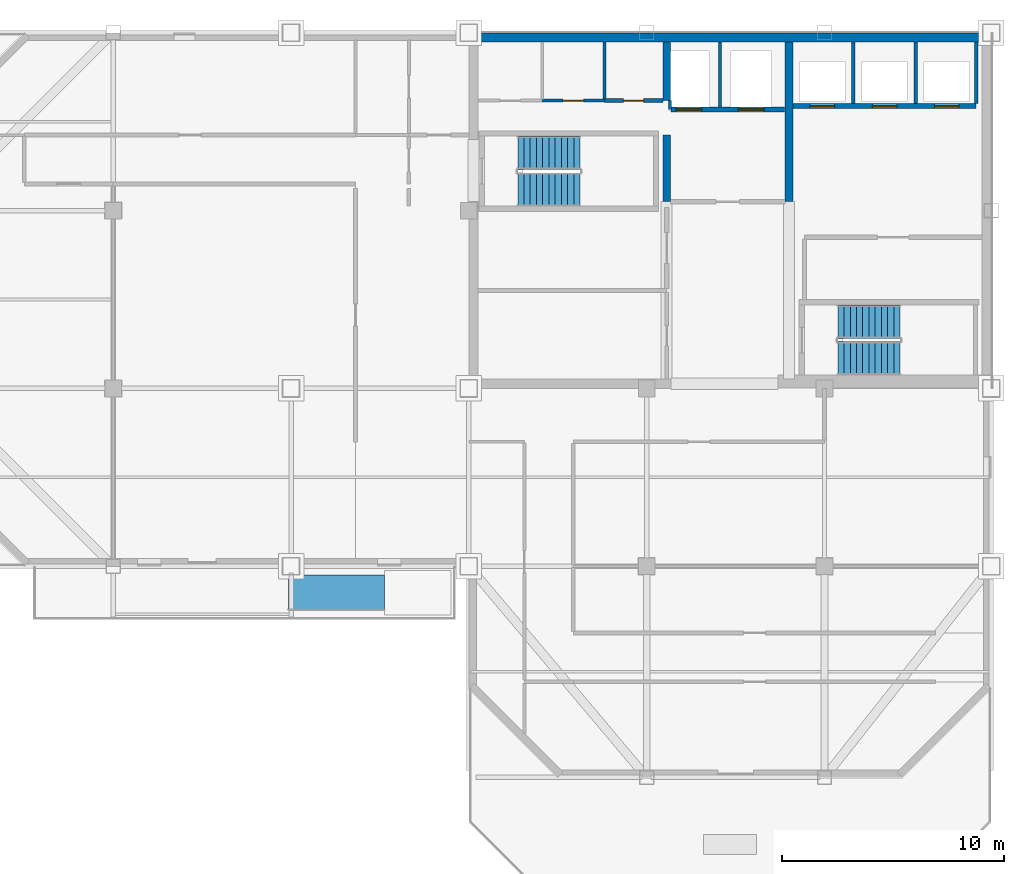
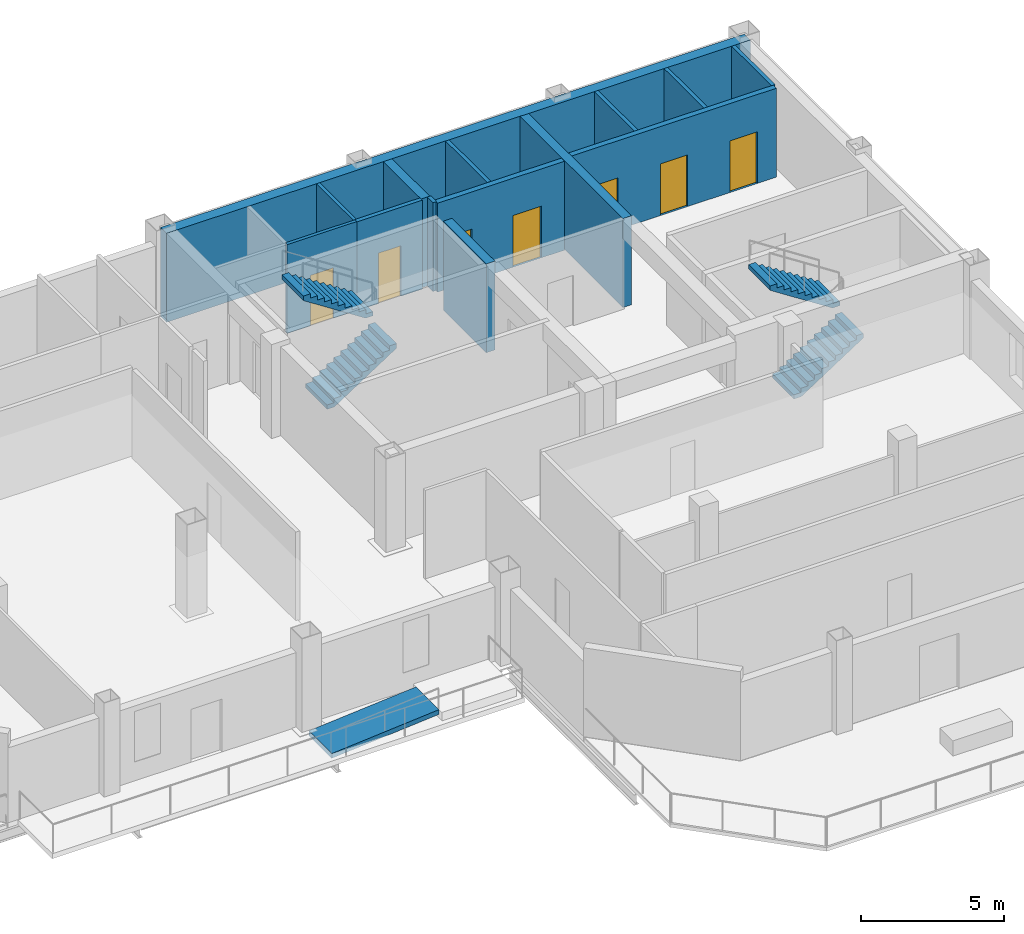
# One storey, part 4 of 8: 14 walls, 7 doors, 4 stair flights, 1 ramp flight, 7 openings, 3 elements without a shape of their own.
"""IFC4 building model written with IfcOpenShell, lengths in metres."""

from ifc_helpers import new_model, si_unit, direction, frame, frame_2d, origin, place, context, subcontext, project, spatial, polyline, rectangle, outline, extrude, material, layer, layer_set, type_object, element, fill, aggregate, save


model = new_model("IFC4")

# Units and contexts
model_context = context("Model", 3, precision=1e-05, world=origin(), true_north=direction((0.0, 1.0)))
body_context = subcontext(model_context, "Body", "Model", "MODEL_VIEW")
ifc_project = project(units=[si_unit("LENGTHUNIT", "METRE"), si_unit("AREAUNIT", "SQUARE_METRE"), si_unit("VOLUMEUNIT", "CUBIC_METRE"), si_unit("PLANEANGLEUNIT", "RADIAN"), si_unit("MASSUNIT", "GRAM", prefix="KILO")], contexts=[model_context])

# Site, building, storey
site_placement = place(None, origin())
site = spatial("IfcSite", under=ifc_project, at=site_placement, CompositionType="ELEMENT")
building_placement = place(site_placement, origin())
building = spatial("IfcBuilding", under=site, at=building_placement, Name="Qianrong Seaharbour Tower", CompositionType="ELEMENT")
storey_placement = place(building_placement, frame((0.0, 0.0, 287.199951171875)))
storey = spatial("IfcBuildingStorey", under=building, at=storey_placement, Name="L69", CompositionType="ELEMENT", Elevation=287.199951171875)

# Walls
ifc_material_1 = material(Name="Concrete C50/60", Category="concrete")
ifc_layer_1 = layer(ifc_material_1, 0.419921875)
ifc_layer_set_1 = layer_set([ifc_layer_1], Name="Concrete C50/60")
wall_type_1 = type_object("IfcWallType", Name="WALL-CORE-420", PredefinedType="SHEAR", material=ifc_layer_set_1)
wall_1_placement = place(storey_placement, frame((40.5, 51.7900390625, 0.0), z_axis=(0.0, 0.0, 1.0), x_axis=(1.0, 0.0, 0.0)))
element("IfcWall", 1, at=wall_1_placement, inside=storey, type_object=wall_type_1, Name="L69 North Core Shear Wall", PredefinedType="SHEAR", context=body_context, shape_type="SweptSolid", body=[
    extrude(rectangle(XDim=23.5, YDim=0.419921875, at=frame_2d((11.75, 0.0))), origin(), (0.0, 0.0, 1.0), 3.78515625),
])
ifc_layer_2 = layer(ifc_material_1, 0.35009765625)
ifc_layer_set_2 = layer_set([ifc_layer_2], Name="Concrete C50/60")
wall_type_2 = type_object("IfcWallType", Name="WALL-CORE-INT-350", PredefinedType="SHEAR", material=ifc_layer_set_2)
wall_2_placement = place(storey_placement, frame((49.39990234375, 44.39990234375, 0.0), z_axis=(0.0, 0.0, 1.0), x_axis=(0.0, 1.0, 0.0)))
element("IfcWall", 2, at=wall_2_placement, inside=storey, type_object=wall_type_2, Name="L69 Internal Core Shear Wall IW1N1", PredefinedType="SHEAR", context=body_context, shape_type="SweptSolid", body=[
    extrude(rectangle(XDim=3.0, YDim=0.35009765625, at=frame_2d((1.5, 0.0))), origin(), (0.0, 0.0, 1.0), 3.78515625),
])
wall_3_placement = place(storey_placement, frame((49.39990234375, 48.949951171875, 0.0), z_axis=(0.0, 0.0, 1.0), x_axis=(0.0, 1.0, 0.0)))
element("IfcWall", 3, at=wall_3_placement, inside=storey, type_object=wall_type_2, Name="L69 Internal Core Shear Wall IW1N2", PredefinedType="SHEAR", context=body_context, shape_type="SweptSolid", body=[
    extrude(rectangle(XDim=2.630126953125, YDim=0.35009765625, at=frame_2d((1.31494140625, 0.0))), origin(), (0.0, 0.0, 1.0), 3.78515625),
])
wall_4_placement = place(storey_placement, frame((54.89990234375, 44.39990234375, 0.0), z_axis=(0.0, 0.0, 1.0), x_axis=(0.0, 1.0, 0.0)))
element("IfcWall", 4, at=wall_4_placement, inside=storey, type_object=wall_type_2, Name="L69 Internal Core Shear Wall IW2N", PredefinedType="SHEAR", context=body_context, shape_type="SweptSolid", body=[
    extrude(rectangle(XDim=7.18017578125, YDim=0.35009765625, at=frame_2d((3.590087890625, 0.0))), origin(), (0.0, 0.0, 1.0), 3.78515625),
])

# Wall, opening, door
ifc_material_2 = material(Name="Fire-rated acoustic gypsum board partition")
ifc_layer_3 = layer(ifc_material_2, 0.1650390625)
ifc_layer_set_3 = layer_set([ifc_layer_3], Name="Fire-rated acoustic gypsum board partition")
wall_type_3 = type_object("IfcWallType", Name="WALL-CORR-PART-165", PredefinedType="PARTITIONING", material=ifc_layer_set_3)
wall_5_placement = place(storey_placement, frame((46.60009765625, 48.949951171875, 0.0), z_axis=(0.0, 0.0, 1.0), x_axis=(1.0, 0.0, 0.0)))
wall_5 = element("IfcWall", 5, at=wall_5_placement, inside=storey, type_object=wall_type_3, Name="L69 Interior Partition Wall 009", PredefinedType="PARTITIONING", context=body_context, shape_type="SweptSolid", body=[
    extrude(rectangle(XDim=2.6328125, YDim=0.1650390625, at=frame_2d((1.31640625, 0.0))), origin(), (0.0, 0.0, 1.0), 3.78515625),
])
opening_1_placement = place(wall_5_placement, frame((0.866455078125, 0.0, 0.0)))
opening_1 = element("IfcOpeningElement", 6, at=opening_1_placement, cuts=wall_5, Name="Opening DS-01", PredefinedType="OPENING", context=body_context, shape_type="SweptSolid", body=[
    extrude(rectangle(XDim=0.89990234375, YDim=2.14990234375, at=frame_2d((0.449951171875, 1.074951171875))), frame((0.0, 0.092529296875, 0.0), z_axis=(0.0, -1.0, 0.0), x_axis=(1.0, 0.0, 0.0)), (0.0, 0.0, 1.0), 0.18505859375),
])
ifc_material_3 = material(Name="Acoustic timber and galvanized steel fire door assembly", Category="steel")
door_type_1 = type_object("IfcDoorType", Name="DOOR-STORE-900x2150", OperationType="NOTDEFINED", PredefinedType="DOOR", material=ifc_material_3)
door_1_placement = place(opening_1_placement, origin())
door_1 = element("IfcDoor", 7, at=door_1_placement, inside=storey, type_object=door_type_1, Name="L69 Cleaner Store Room Door", OperationType="SINGLE_SWING_RIGHT", OverallHeight=2.14990234375, OverallWidth=0.89990234375, PredefinedType="DOOR", context=body_context, shape_type="SweptSolid", body=[
    extrude(rectangle(XDim=0.89990234375, YDim=2.14990234375, at=frame_2d((0.449951171875, 1.074951171875))), frame((0.0, 0.02490234375, 0.0), z_axis=(0.0, -1.0, 0.0), x_axis=(1.0, 0.0, 0.0)), (0.0, 0.0, 1.0), 0.050048828125),
])
fill(opening_1, door_1)

# Walls
ifc_material_4 = material(Name="Fire-rated gypsum board on steel studs", Category="steel")
ifc_layer_4 = layer(ifc_material_4, 0.14990234375)
ifc_layer_set_4 = layer_set([ifc_layer_4], Name="Fire-rated gypsum board on steel studs")
wall_type_4 = type_object("IfcWallType", Name="WALL-SHAFT-DIV-150", PredefinedType="PARTITIONING", material=ifc_layer_set_4)
wall_6_placement = place(storey_placement, frame((51.800048828125, 48.669921875, 0.0), z_axis=(0.0, 0.0, 1.0), x_axis=(0.0, 1.0, 0.0)))
element("IfcWall", 8, at=wall_6_placement, inside=storey, type_object=wall_type_4, Name="L69 Firefighting Lift Shaft Divider Wall", PredefinedType="PARTITIONING", context=body_context, shape_type="SweptSolid", body=[
    extrude(rectangle(XDim=2.91015625, YDim=0.14990234375, at=frame_2d((1.455078125, 0.0))), origin(), (0.0, 0.0, 1.0), 3.78515625),
])
wall_7_placement = place(storey_placement, frame((49.550048828125, 48.550048828125, 0.0), z_axis=(0.0, 0.0, 1.0), x_axis=(0.0, 1.0, 0.0)))
element("IfcWall", 9, at=wall_7_placement, inside=storey, type_object=wall_type_4, Name="L69 Firefighting Lift Shaft West Return Wall", PredefinedType="PARTITIONING", context=body_context, shape_type="SweptSolid", body=[
    extrude(rectangle(XDim=0.39990234375, YDim=0.14990234375, at=frame_2d((0.199951171875, 0.0))), origin(), (0.0, 0.0, 1.0), 3.78515625),
])
for number, where, z_axis, x_axis, name in (
    (10, (57.800048828125, 48.81005859375, 0.0), (0.0, 0.0, 1.0), (0.0, 1.0, 0.0), "L69 P4 Lift Hoistway Divider 2"),
    (11, (60.60009765625, 48.81005859375, 0.0), (0.0, 0.0, 1.0), (0.0, 1.0, 0.0), "L69 P4 Lift Hoistway Divider 3"),
    (12, (63.320068359375, 48.81005859375, 0.0), (0.0, 0.0, 1.0), (0.0, 1.0, 0.0), "L69 P4 Lift Hoistway Divider 4"),
):
    element("IfcWall", number, at=place(storey_placement, frame(where, z_axis=z_axis, x_axis=x_axis)), inside=storey, type_object=wall_type_4, Name=name, PredefinedType="PARTITIONING", context=body_context, shape_type="SweptSolid", body=[
        extrude(rectangle(XDim=2.77001953125, YDim=0.14990234375, at=frame_2d((1.385009765625, 0.0))), origin(), (0.0, 0.0, 1.0), 3.78515625),
    ])

# Wall, openings, doors
ifc_layer_5 = layer(ifc_material_4, 0.219970703125)
ifc_layer_set_5 = layer_set([ifc_layer_5], Name="Fire-rated gypsum board on steel studs")
wall_type_5 = type_object("IfcWallType", Name="WALL-SHAFT-GYP220", PredefinedType="PARTITIONING", material=ifc_layer_set_5)
wall_8_placement = place(storey_placement, frame((54.7099609375, 48.550048828125, 0.0), z_axis=(0.0, 0.0, 1.0), x_axis=(-1.0, 0.0, 0.0)))
wall_8 = element("IfcWall", 13, at=wall_8_placement, inside=storey, type_object=wall_type_5, Name="L69 Firefighting Lift Shaft Front Wall", PredefinedType="PARTITIONING", context=body_context, shape_type="SweptSolid", body=[
    extrude(rectangle(XDim=5.119873046875, YDim=0.219970703125, at=frame_2d((2.56005859375, 0.0))), origin(), (0.0, 0.0, 1.0), 3.78515625),
])
opening_2_placement = place(wall_8_placement, frame((3.735107421875, 0.0, 0.0)))
opening_2 = element("IfcOpeningElement", 14, at=opening_2_placement, cuts=wall_8, Name="Opening LD-01", PredefinedType="OPENING", context=body_context, shape_type="SweptSolid", body=[
    extrude(rectangle(XDim=1.14990234375, YDim=2.199951171875, at=frame_2d((0.574951171875, 1.10009765625))), frame((0.0, 0.1201171875, 0.0), z_axis=(0.0, -1.0, 0.0), x_axis=(1.0, 0.0, 0.0)), (0.0, 0.0, 1.0), 0.239990234375),
])
opening_3_placement = place(wall_8_placement, frame((0.93505859375, 0.0, 0.0)))
opening_3 = element("IfcOpeningElement", 15, at=opening_3_placement, cuts=wall_8, Name="Opening LD-01", PredefinedType="OPENING", context=body_context, shape_type="SweptSolid", body=[
    extrude(rectangle(XDim=1.14990234375, YDim=2.199951171875, at=frame_2d((0.574951171875, 1.10009765625))), frame((0.0, 0.1201171875, 0.0), z_axis=(0.0, -1.0, 0.0), x_axis=(1.0, 0.0, 0.0)), (0.0, 0.0, 1.0), 0.239990234375),
])
ifc_material_5 = material(Name="Stainless steel SUS316L bi-parting lift landing door", Category="steel")
door_type_2 = type_object("IfcDoorType", Name="DOOR-LIFT-FF-1150x2200", OperationType="DOUBLE_DOOR_SLIDING", PredefinedType="DOOR", material=ifc_material_5)
door_2_placement = place(opening_2_placement, origin())
door_2 = element("IfcDoor", 16, at=door_2_placement, inside=storey, type_object=door_type_2, Name="L69 FL-1 Firefighting Lift Landing Door", OperationType="DOUBLE_DOOR_SLIDING", OverallHeight=2.199951171875, OverallWidth=1.14990234375, PredefinedType="DOOR", context=body_context, shape_type="SweptSolid", body=[
    extrude(rectangle(XDim=1.14990234375, YDim=2.199951171875, at=frame_2d((0.574951171875, 1.10009765625))), frame((0.0, 0.02490234375, 0.0), z_axis=(0.0, -1.0, 0.0), x_axis=(1.0, 0.0, 0.0)), (0.0, 0.0, 1.0), 0.050048828125),
])
fill(opening_2, door_2)
door_3_placement = place(opening_3_placement, origin())
door_3 = element("IfcDoor", 17, at=door_3_placement, inside=storey, type_object=door_type_2, Name="L69 FL-2 Firefighting Lift Landing Door", OperationType="DOUBLE_DOOR_SLIDING", OverallHeight=2.199951171875, OverallWidth=1.14990234375, PredefinedType="DOOR", context=body_context, shape_type="SweptSolid", body=[
    extrude(rectangle(XDim=1.14990234375, YDim=2.199951171875, at=frame_2d((0.574951171875, 1.10009765625))), frame((0.0, 0.02490234375, 0.0), z_axis=(0.0, -1.0, 0.0), x_axis=(1.0, 0.0, 0.0)), (0.0, 0.0, 1.0), 0.050048828125),
])
fill(opening_3, door_3)

wall_9_placement = place(storey_placement, frame((63.320068359375, 48.699951171875, 0.0), z_axis=(0.0, 0.0, 1.0), x_axis=(-1.0, 0.0, 0.0)))
wall_9 = element("IfcWall", 18, at=wall_9_placement, inside=storey, type_object=wall_type_5, Name="L69 P4 Lift Hoistway Front Wall", PredefinedType="PARTITIONING", context=body_context, shape_type="SweptSolid", body=[
    extrude(rectangle(XDim=8.239990234375, YDim=0.219970703125, at=frame_2d((4.1201171875, 0.0))), origin(), (0.0, 0.0, 1.0), 3.78515625),
])
opening_4_placement = place(wall_9_placement, frame((6.3701171875, 0.0, 0.0)))
opening_4 = element("IfcOpeningElement", 19, at=opening_4_placement, cuts=wall_9, Name="Opening LD-02", PredefinedType="OPENING", context=body_context, shape_type="SweptSolid", body=[
    extrude(rectangle(XDim=1.10009765625, YDim=2.199951171875, at=frame_2d((0.550048828125, 1.10009765625))), frame((0.0, 0.1201171875, 0.0), z_axis=(0.0, -1.0, 0.0), x_axis=(1.0, 0.0, 0.0)), (0.0, 0.0, 1.0), 0.239990234375),
])
opening_5_placement = place(wall_9_placement, frame((3.570068359375, 0.0, 0.0)))
opening_5 = element("IfcOpeningElement", 20, at=opening_5_placement, cuts=wall_9, Name="Opening LD-02", PredefinedType="OPENING", context=body_context, shape_type="SweptSolid", body=[
    extrude(rectangle(XDim=1.10009765625, YDim=2.199951171875, at=frame_2d((0.550048828125, 1.10009765625))), frame((0.0, 0.1201171875, 0.0), z_axis=(0.0, -1.0, 0.0), x_axis=(1.0, 0.0, 0.0)), (0.0, 0.0, 1.0), 0.239990234375),
])
opening_6_placement = place(wall_9_placement, frame((0.77001953125, 0.0, 0.0)))
opening_6 = element("IfcOpeningElement", 21, at=opening_6_placement, cuts=wall_9, Name="Opening LD-02", PredefinedType="OPENING", context=body_context, shape_type="SweptSolid", body=[
    extrude(rectangle(XDim=1.10009765625, YDim=2.199951171875, at=frame_2d((0.550048828125, 1.10009765625))), frame((0.0, 0.1201171875, 0.0), z_axis=(0.0, -1.0, 0.0), x_axis=(1.0, 0.0, 0.0)), (0.0, 0.0, 1.0), 0.239990234375),
])
door_type_3 = type_object("IfcDoorType", Name="DOOR-LIFT-PASS-1100x2200", OperationType="DOUBLE_DOOR_SLIDING", PredefinedType="DOOR", material=ifc_material_5)
door_4_placement = place(opening_4_placement, origin())
door_4 = element("IfcDoor", 22, at=door_4_placement, inside=storey, type_object=door_type_3, Name="L69 PL-4A Lift Landing Door", OperationType="DOUBLE_DOOR_SLIDING", OverallHeight=2.199951171875, OverallWidth=1.10009765625, PredefinedType="DOOR", context=body_context, shape_type="SweptSolid", body=[
    extrude(rectangle(XDim=1.10009765625, YDim=2.199951171875, at=frame_2d((0.550048828125, 1.10009765625))), frame((0.0, 0.02490234375, 0.0), z_axis=(0.0, -1.0, 0.0), x_axis=(1.0, 0.0, 0.0)), (0.0, 0.0, 1.0), 0.050048828125),
])
fill(opening_4, door_4)
door_5_placement = place(opening_5_placement, origin())
door_5 = element("IfcDoor", 23, at=door_5_placement, inside=storey, type_object=door_type_3, Name="L69 PL-4B Lift Landing Door", OperationType="DOUBLE_DOOR_SLIDING", OverallHeight=2.199951171875, OverallWidth=1.10009765625, PredefinedType="DOOR", context=body_context, shape_type="SweptSolid", body=[
    extrude(rectangle(XDim=1.10009765625, YDim=2.199951171875, at=frame_2d((0.550048828125, 1.10009765625))), frame((0.0, 0.02490234375, 0.0), z_axis=(0.0, -1.0, 0.0), x_axis=(1.0, 0.0, 0.0)), (0.0, 0.0, 1.0), 0.050048828125),
])
fill(opening_5, door_5)
door_6_placement = place(opening_6_placement, origin())
door_6 = element("IfcDoor", 24, at=door_6_placement, inside=storey, type_object=door_type_3, Name="L69 PL-4C Lift Landing Door", OperationType="DOUBLE_DOOR_SLIDING", OverallHeight=2.199951171875, OverallWidth=1.10009765625, PredefinedType="DOOR", context=body_context, shape_type="SweptSolid", body=[
    extrude(rectangle(XDim=1.10009765625, YDim=2.199951171875, at=frame_2d((0.550048828125, 1.10009765625))), frame((0.0, 0.02490234375, 0.0), z_axis=(0.0, -1.0, 0.0), x_axis=(1.0, 0.0, 0.0)), (0.0, 0.0, 1.0), 0.050048828125),
])
fill(opening_6, door_6)

# Wall, opening, door
ifc_material_6 = material(Name="Water-resistant cement board sanitary partition")
ifc_layer_6 = layer(ifc_material_6, 0.1298828125)
ifc_layer_set_6 = layer_set([ifc_layer_6], Name="Water-resistant cement board sanitary partition")
wall_type_6 = type_object("IfcWallType", Name="WALL-WET-PART-130", PredefinedType="PARTITIONING", material=ifc_layer_set_6)
wall_10_placement = place(storey_placement, frame((43.800048828125, 48.949951171875, 0.0), z_axis=(0.0, 0.0, 1.0), x_axis=(1.0, 0.0, 0.0)))
wall_10 = element("IfcWall", 25, at=wall_10_placement, inside=storey, type_object=wall_type_6, Name="L69 Interior Partition Wall 008", PredefinedType="PARTITIONING", context=body_context, shape_type="SweptSolid", body=[
    extrude(rectangle(XDim=2.800048828125, YDim=0.1298828125, at=frame_2d((1.39990234375, 0.0))), origin(), (0.0, 0.0, 1.0), 3.78515625),
])
opening_7_placement = place(wall_10_placement, frame((0.93994140625, 0.0, 0.0)))
opening_7 = element("IfcOpeningElement", 26, at=opening_7_placement, cuts=wall_10, Name="Opening DW-01", PredefinedType="OPENING", context=body_context, shape_type="SweptSolid", body=[
    extrude(rectangle(XDim=0.919921875, YDim=2.14990234375, at=frame_2d((0.4599609375, 1.074951171875))), frame((0.0, 0.074951171875, 0.0), z_axis=(0.0, -1.0, 0.0), x_axis=(1.0, 0.0, 0.0)), (0.0, 0.0, 1.0), 0.14990234375),
])
door_type_4 = type_object("IfcDoorType", Name="DOOR-WC-920x2150", OperationType="NOTDEFINED", PredefinedType="DOOR", material=ifc_material_3)
door_7_placement = place(opening_7_placement, origin())
door_7 = element("IfcDoor", 27, at=door_7_placement, inside=storey, type_object=door_type_4, Name="L69 Female Restroom WC Door", OperationType="SINGLE_SWING_LEFT", OverallHeight=2.14990234375, OverallWidth=0.919921875, PredefinedType="DOOR", context=body_context, shape_type="SweptSolid", body=[
    extrude(rectangle(XDim=0.919921875, YDim=2.14990234375, at=frame_2d((0.4599609375, 1.074951171875))), frame((0.0, 0.02490234375, 0.0), z_axis=(0.0, -1.0, 0.0), x_axis=(1.0, 0.0, 0.0)), (0.0, 0.0, 1.0), 0.050048828125),
])
fill(opening_7, door_7)

# Wall
wall_11_placement = place(storey_placement, frame((46.60009765625, 51.580078125, 0.0), z_axis=(0.0, 0.0, 1.0), x_axis=(0.0, -1.0, 0.0)))
element("IfcWall", 28, at=wall_11_placement, inside=storey, type_object=wall_type_6, Name="L69 Interior Partition Wall 017", PredefinedType="PARTITIONING", context=body_context, shape_type="SweptSolid", body=[
    extrude(rectangle(XDim=2.5556640625, YDim=0.1298828125, at=frame_2d((1.27783203125, 0.0))), origin(), (0.0, 0.0, 1.0), 3.78515625),
])

# Stair, stair flights
stair_type = type_object("IfcStairType", Name="STAIR-DOGLEG-1500-R22", PredefinedType="HALF_TURN_STAIR", material=ifc_material_1)
stair_1_placement = place(storey_placement, origin())
stair_1 = element("IfcStair", 29, at=stair_1_placement, inside=storey, type_object=stair_type, Name="L69 Protected Escape Stair ST-1", PredefinedType="HALF_TURN_STAIR")
stair_flight_type = type_object("IfcStairFlightType", Name="FLIGHT-STR-1500-R22", PredefinedType="STRAIGHT", material=ifc_material_1)
stair_flight_1_placement = place(storey_placement, frame((42.699951171875, 44.949951171875, 0.0), z_axis=(0.0, 0.0, 1.0), x_axis=(1.0, 0.0, 0.0)))
stair_flight_1 = element("IfcStairFlight", 30, at=stair_flight_1_placement, type_object=stair_flight_type, Name="ST-1 flight 1", NumberOfRisers=11, NumberOfTreads=10, PredefinedType="STRAIGHT", RiserHeight=0.181818182, TreadLength=0.28, context=body_context, shape_type="SweptSolid", body=[
    extrude(outline(polyline([(0.0, 0.0), (0.0, 0.181884765625), (0.280029296875, 0.181884765625), (0.280029296875, 0.363525390625), (0.56005859375, 0.363525390625), (0.56005859375, 0.54541015625), (0.840087890625, 0.54541015625), (0.840087890625, 0.727294921875), (1.1201171875, 0.727294921875), (1.1201171875, 0.9091796875), (1.39990234375, 0.9091796875), (1.39990234375, 1.0908203125), (1.679931640625, 1.0908203125), (1.679931640625, 1.272705078125), (1.9599609375, 1.272705078125), (1.9599609375, 1.45458984375), (2.239990234375, 1.45458984375), (2.239990234375, 1.636474609375), (2.52001953125, 1.636474609375), (2.52001953125, 1.818115234375), (2.800048828125, 1.818115234375), (2.800048828125, 2.0), (2.800048828125, 1.62744140625), (0.293701171875, 0.0), (0.0, 0.0)])), frame((0.0, 0.75, 0.0), z_axis=(0.0, -1.0, 0.0), x_axis=(1.0, 0.0, 0.0)), (0.0, 0.0, 1.0), 1.5),
])
stair_flight_2_placement = place(storey_placement, frame((45.5, 46.60009765625, 2.0), z_axis=(0.0, 0.0, 1.0), x_axis=(-1.0, 0.0, 0.0)))
stair_flight_2 = element("IfcStairFlight", 31, at=stair_flight_2_placement, type_object=stair_flight_type, Name="ST-1 flight 2", NumberOfRisers=11, NumberOfTreads=10, PredefinedType="STRAIGHT", RiserHeight=0.181818182, TreadLength=0.28, context=body_context, shape_type="SweptSolid", body=[
    extrude(outline(polyline([(0.0, 0.0), (0.0, 0.181884765625), (0.280029296875, 0.181884765625), (0.280029296875, 0.363525390625), (0.56005859375, 0.363525390625), (0.56005859375, 0.54541015625), (0.840087890625, 0.54541015625), (0.840087890625, 0.727294921875), (1.1201171875, 0.727294921875), (1.1201171875, 0.9091796875), (1.39990234375, 0.9091796875), (1.39990234375, 1.0908203125), (1.679931640625, 1.0908203125), (1.679931640625, 1.272705078125), (1.9599609375, 1.272705078125), (1.9599609375, 1.45458984375), (2.239990234375, 1.45458984375), (2.239990234375, 1.636474609375), (2.52001953125, 1.636474609375), (2.52001953125, 1.818115234375), (2.800048828125, 1.818115234375), (2.800048828125, 2.0), (2.800048828125, 1.62744140625), (0.293701171875, 0.0), (0.0, 0.0)])), frame((0.0, 0.75, 0.0), z_axis=(0.0, -1.0, 0.0), x_axis=(1.0, 0.0, 0.0)), (0.0, 0.0, 1.0), 1.5),
])
aggregate(stair_1, [stair_flight_1, stair_flight_2])

stair_2_placement = place(storey_placement, origin())
stair_2 = element("IfcStair", 32, at=stair_2_placement, inside=storey, type_object=stair_type, Name="L69 Protected Escape Stair ST-2", PredefinedType="HALF_TURN_STAIR")
stair_flight_3_placement = place(storey_placement, frame((57.10009765625, 37.35009765625, 0.0), z_axis=(0.0, 0.0, 1.0), x_axis=(1.0, 0.0, 0.0)))
stair_flight_3 = element("IfcStairFlight", 33, at=stair_flight_3_placement, type_object=stair_flight_type, Name="ST-2 flight 1", NumberOfRisers=11, NumberOfTreads=10, PredefinedType="STRAIGHT", RiserHeight=0.181818182, TreadLength=0.28, context=body_context, shape_type="SweptSolid", body=[
    extrude(outline(polyline([(0.0, 0.0), (0.0, 0.181884765625), (0.280029296875, 0.181884765625), (0.280029296875, 0.363525390625), (0.56005859375, 0.363525390625), (0.56005859375, 0.54541015625), (0.840087890625, 0.54541015625), (0.840087890625, 0.727294921875), (1.1201171875, 0.727294921875), (1.1201171875, 0.9091796875), (1.39990234375, 0.9091796875), (1.39990234375, 1.0908203125), (1.679931640625, 1.0908203125), (1.679931640625, 1.272705078125), (1.9599609375, 1.272705078125), (1.9599609375, 1.45458984375), (2.239990234375, 1.45458984375), (2.239990234375, 1.636474609375), (2.52001953125, 1.636474609375), (2.52001953125, 1.818115234375), (2.800048828125, 1.818115234375), (2.800048828125, 2.0), (2.800048828125, 1.62744140625), (0.293701171875, 0.0), (0.0, 0.0)])), frame((0.0, 0.75, 0.0), z_axis=(0.0, -1.0, 0.0), x_axis=(1.0, 0.0, 0.0)), (0.0, 0.0, 1.0), 1.5),
])
stair_flight_4_placement = place(storey_placement, frame((59.89990234375, 39.0, 2.0), z_axis=(0.0, 0.0, 1.0), x_axis=(-1.0, 0.0, 0.0)))
stair_flight_4 = element("IfcStairFlight", 34, at=stair_flight_4_placement, type_object=stair_flight_type, Name="ST-2 flight 2", NumberOfRisers=11, NumberOfTreads=10, PredefinedType="STRAIGHT", RiserHeight=0.181818182, TreadLength=0.28, context=body_context, shape_type="SweptSolid", body=[
    extrude(outline(polyline([(0.0, 0.0), (0.0, 0.181884765625), (0.280029296875, 0.181884765625), (0.280029296875, 0.363525390625), (0.56005859375, 0.363525390625), (0.56005859375, 0.54541015625), (0.840087890625, 0.54541015625), (0.840087890625, 0.727294921875), (1.1201171875, 0.727294921875), (1.1201171875, 0.9091796875), (1.39990234375, 0.9091796875), (1.39990234375, 1.0908203125), (1.679931640625, 1.0908203125), (1.679931640625, 1.272705078125), (1.9599609375, 1.272705078125), (1.9599609375, 1.45458984375), (2.239990234375, 1.45458984375), (2.239990234375, 1.636474609375), (2.52001953125, 1.636474609375), (2.52001953125, 1.818115234375), (2.800048828125, 1.818115234375), (2.800048828125, 2.0), (2.800048828125, 1.62744140625), (0.293701171875, 0.0), (0.0, 0.0)])), frame((0.0, 0.75, 0.0), z_axis=(0.0, -1.0, 0.0), x_axis=(1.0, 0.0, 0.0)), (0.0, 0.0, 1.0), 1.5),
])
aggregate(stair_2, [stair_flight_3, stair_flight_4])

# Ramp, ramp flight
ifc_material_7 = material(Name="White architectural precast concrete C45/55", Category="concrete")
ramp_type = type_object("IfcRampType", Name="RAMP-RIBBON-GARDEN", PredefinedType="STRAIGHT_RUN_RAMP", material=ifc_material_7)
ramp_placement = place(storey_placement, origin())
ramp = element("IfcRamp", 35, at=ramp_placement, inside=storey, type_object=ramp_type, Name="L69 Harbourfront Garden Ribbon Ramp", PredefinedType="STRAIGHT_RUN_RAMP")
ifc_layer_7 = layer(ifc_material_7, 0.199951171875)
ifc_layer_set_7 = layer_set([ifc_layer_7], Name="White architectural precast concrete C45/55")
ramp_flight_type = type_object("IfcRampFlightType", Name="RAMP-FLIGHT-GARDEN-200", PredefinedType="STRAIGHT", material=ifc_layer_set_7)
ramp_flight_placement = place(storey_placement, frame((32.3798828125, 26.800048828125, 0.0), z_axis=(0.0, 0.0, 1.0), x_axis=(1.0, 0.0, 0.0)))
ramp_flight = element("IfcRampFlight", 36, at=ramp_flight_placement, type_object=ramp_flight_type, Name="L69 Harbourfront Garden Ribbon Ramp Flight", PredefinedType="STRAIGHT", context=body_context, shape_type="SweptSolid", body=[
    extrude(outline(polyline([(0.0, 0.0), (4.320068359375, 0.360107421875), (4.320068359375, 0.16015625), (0.0, -0.199951171875), (0.0, 0.0)])), frame((0.0, 0.800048828125, 0.0), z_axis=(0.0, -1.0, 0.0), x_axis=(1.0, 0.0, 0.0)), (0.0, 0.0, 1.0), 1.60009765625),
])
aggregate(ramp, [ramp_flight])

save(model, "model.ifc")
